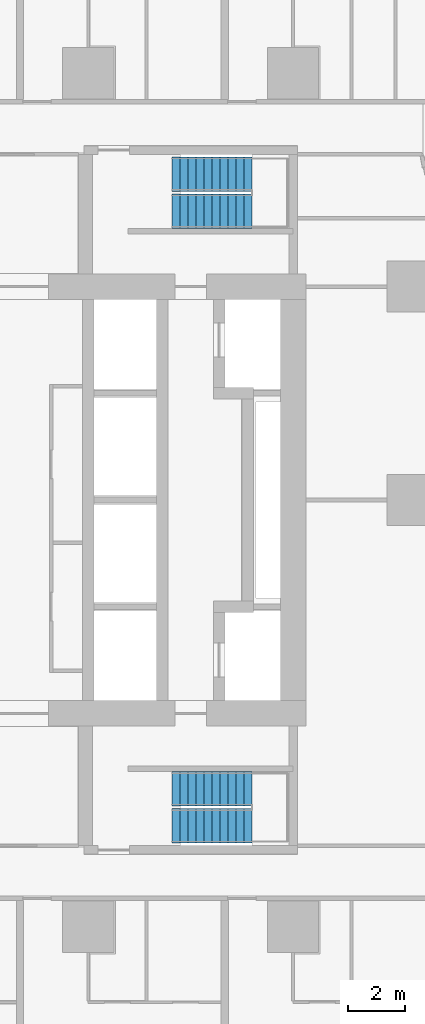
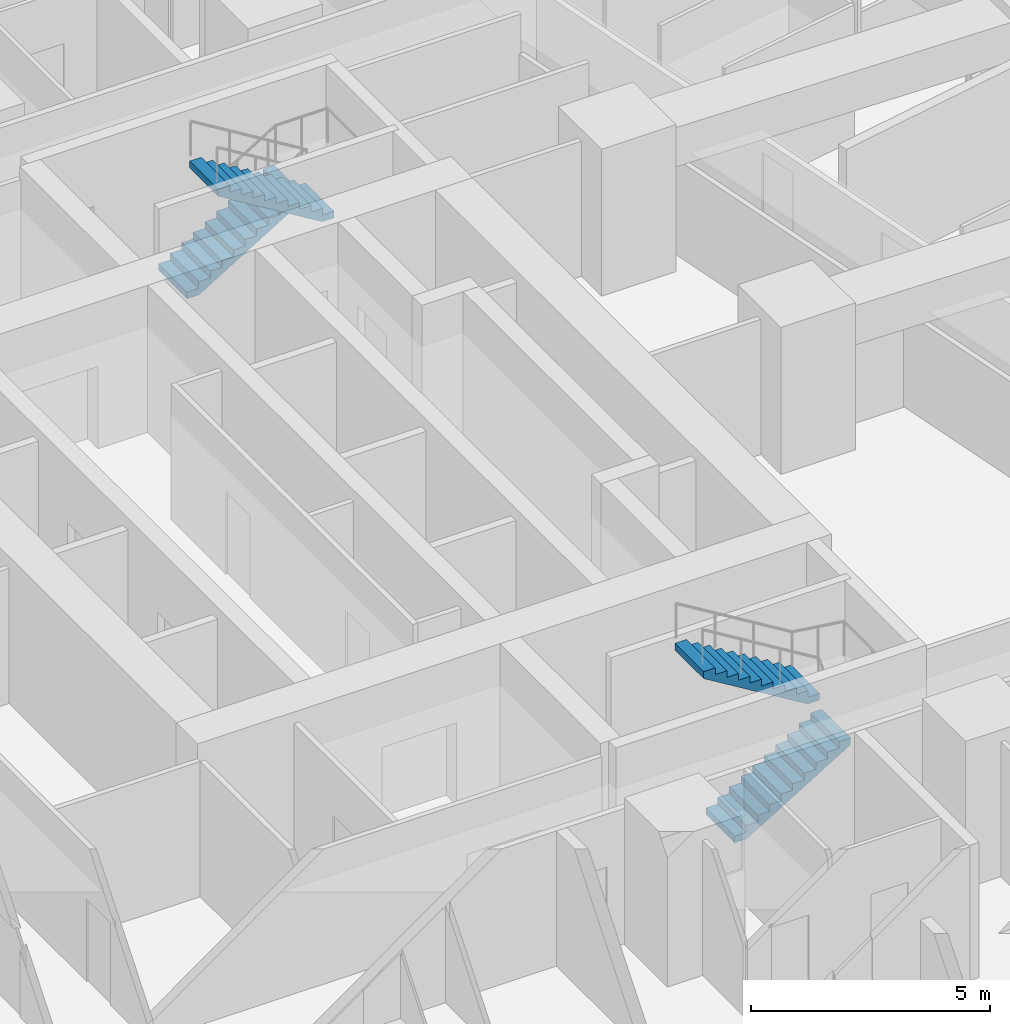
# One storey, part 12 of 15: 4 stair flights, 2 elements without a shape of their own.
"""IFC4 building model written with IfcOpenShell, lengths in metres."""

from ifc_helpers import new_model, si_unit, direction, frame, origin, place, context, subcontext, project, spatial, triangles, material, type_object, element, aggregate, save


model = new_model("IFC4")

# Units and contexts
model_context = context("Model", 3, precision=1e-05, world=origin(), true_north=direction((0.0, 1.0)))
body_context = subcontext(model_context, "Body", "Model", "MODEL_VIEW")
ifc_project = project(units=[si_unit("LENGTHUNIT", "METRE"), si_unit("AREAUNIT", "SQUARE_METRE"), si_unit("VOLUMEUNIT", "CUBIC_METRE"), si_unit("PLANEANGLEUNIT", "RADIAN"), si_unit("MASSUNIT", "GRAM", prefix="KILO")], contexts=[model_context])

# Site, building, storey
site_placement = place(None, origin())
site = spatial("IfcSite", under=ifc_project, at=site_placement, CompositionType="ELEMENT")
building_placement = place(site_placement, origin())
building = spatial("IfcBuilding", under=site, at=building_placement, Name="Sheger Commons Tower", CompositionType="ELEMENT")
storey_placement = place(building_placement, frame((0.0, 0.0, 68.75)))
storey = spatial("IfcBuildingStorey", under=building, at=storey_placement, Name="L17", CompositionType="ELEMENT", Elevation=68.75)

# Stair, stair flights
ifc_material_1 = material(Name="Concrete C35/45", Category="concrete")
stair_type = type_object("IfcStairType", Name="HALF-TURN STAIR 1200 RISE 3750", PredefinedType="HALF_TURN_STAIR", material=ifc_material_1)
stair_1_placement = place(storey_placement, origin())
stair_1 = element("IfcStair", 1, at=stair_1_placement, inside=storey, type_object=stair_type, Name="Stair S1 L17", PredefinedType="HALF_TURN_STAIR")
ifc_material_2 = material(Name="Concrete C35/45", Category="concrete")
stair_flight_type = type_object("IfcStairFlightType", Name="STAIR FLIGHT 1200 11 RISERS OF 170", PredefinedType="STRAIGHT", material=ifc_material_2)
stair_flight_1_placement = place(storey_placement, frame((24.550048828125, 11.050048828125, 0.0), z_axis=(0.0, 0.0, 1.0), x_axis=(1.0, 0.0, 0.0)))
stair_flight_1 = element("IfcStairFlight", 2, at=stair_flight_1_placement, type_object=stair_flight_type, Name="S1 flight 1", NumberOfRisers=11, NumberOfTreads=10, PredefinedType="STRAIGHT", RiserHeight=0.170454545, TreadLength=0.28, context=body_context, shape_type="Tessellation", body=[
    triangles([(0.0, 0.5999755859375, 0.0), (0.0, 0.5999755859375, 0.17041015625), (0.280029296875, 0.5999755859375, 0.17041015625), (0.280029296875, 0.5999755859375, 0.3408203125), (0.56005859375, 0.5999755859375, 0.3408203125), (0.56005859375, 0.5999755859375, 0.511474609375), (0.840087890625, 0.5999755859375, 0.511474609375), (0.840087890625, 0.5999755859375, 0.681884765625), (1.1201171875, 0.5999755859375, 0.681884765625), (1.1201171875, 0.5999755859375, 0.852294921875), (1.39990234375, 0.5999755859375, 0.852294921875), (1.39990234375, 0.5999755859375, 1.022705078125), (1.679931640625, 0.5999755859375, 1.022705078125), (1.679931640625, 0.5999755859375, 1.193115234375), (1.9599609375, 0.5999755859375, 1.193115234375), (1.9599609375, 0.5999755859375, 1.363525390625), (2.239990234375, 0.5999755859375, 1.363525390625), (2.239990234375, 0.5999755859375, 1.5341796875), (2.52001953125, 0.5999755859375, 1.5341796875), (2.52001953125, 0.5999755859375, 1.70458984375), (2.800048828125, 0.5999755859375, 1.70458984375), (2.800048828125, 0.5999755859375, 1.529052734375), (0.288330078125, 0.5999755859375, 0.0), (0.0, -0.5999755859375, 0.0), (0.0, -0.5999755859375, 0.17041015625), (0.280029296875, -0.5999755859375, 0.17041015625), (0.280029296875, -0.5999755859375, 0.3408203125), (0.56005859375, -0.5999755859375, 0.3408203125), (0.56005859375, -0.5999755859375, 0.511474609375), (0.840087890625, -0.5999755859375, 0.511474609375), (0.840087890625, -0.5999755859375, 0.681884765625), (1.1201171875, -0.5999755859375, 0.681884765625), (1.1201171875, -0.5999755859375, 0.852294921875), (1.39990234375, -0.5999755859375, 0.852294921875), (1.39990234375, -0.5999755859375, 1.022705078125), (1.679931640625, -0.5999755859375, 1.022705078125), (1.679931640625, -0.5999755859375, 1.193115234375), (1.9599609375, -0.5999755859375, 1.193115234375), (1.9599609375, -0.5999755859375, 1.363525390625), (2.239990234375, -0.5999755859375, 1.363525390625), (2.239990234375, -0.5999755859375, 1.5341796875), (2.52001953125, -0.5999755859375, 1.5341796875), (2.52001953125, -0.5999755859375, 1.70458984375), (2.800048828125, -0.5999755859375, 1.70458984375), (2.800048828125, -0.5999755859375, 1.529052734375), (0.288330078125, -0.5999755859375, 0.0), (0.0, 0.0, 0.085205078125), (0.1400146484375, 0.0, 0.17041015625), (0.280029296875, 0.0, 0.255615234375), (0.4200439453125, 0.0, 0.3408203125), (0.56005859375, 0.0, 0.4261474609375), (0.7000732421875, 0.0, 0.511474609375), (0.840087890625, 0.0, 0.5966796875), (0.9801025390625, 0.0, 0.681884765625), (1.1201171875, 0.0, 0.76708984375), (1.260009765625, 0.0, 0.852294921875), (1.39990234375, 0.0, 0.9375), (1.5399169921875, 0.0, 1.022705078125), (1.679931640625, 0.0, 1.10791015625), (1.8199462890625, 0.0, 1.193115234375), (1.9599609375, 0.0, 1.2783203125), (2.0999755859375, 0.0, 1.363525390625), (2.239990234375, 0.0, 1.4488525390625), (2.3800048828125, 0.0, 1.5341796875), (2.52001953125, 0.0, 1.619384765625), (2.6600341796875, 0.0, 1.70458984375), (2.800048828125, 0.0, 1.6168212890625), (1.544189453125, 0.0, 0.7645263671875), (0.1441650390625, 0.0, 0.0)], [[1, 22, 23], [24, 46, 45], [22, 20, 21], [45, 44, 43], [22, 19, 20], [45, 43, 42], [22, 18, 19], [45, 42, 41], [22, 17, 18], [45, 41, 40], [17, 15, 16], [40, 39, 38], [22, 15, 17], [45, 40, 38], [15, 13, 14], [38, 37, 36], [22, 13, 15], [45, 38, 36], [13, 11, 12], [36, 35, 34], [22, 11, 13], [45, 36, 34], [11, 9, 10], [34, 33, 32], [22, 9, 11], [45, 34, 32], [9, 7, 8], [32, 31, 30], [22, 7, 9], [45, 32, 30], [7, 5, 6], [30, 29, 28], [22, 5, 7], [45, 30, 28], [5, 3, 4], [28, 27, 26], [22, 3, 5], [45, 28, 26], [1, 3, 22], [24, 45, 26], [3, 1, 2], [26, 25, 24], [1, 47, 2], [2, 47, 25], [25, 47, 24], [24, 47, 1], [2, 48, 3], [3, 48, 26], [26, 48, 25], [25, 48, 2], [3, 49, 4], [4, 49, 27], [27, 49, 26], [26, 49, 3], [4, 50, 5], [5, 50, 28], [28, 50, 27], [27, 50, 4], [5, 51, 6], [6, 51, 29], [29, 51, 28], [28, 51, 5], [6, 52, 7], [7, 52, 30], [30, 52, 29], [29, 52, 6], [7, 53, 8], [8, 53, 31], [31, 53, 30], [30, 53, 7], [8, 54, 9], [9, 54, 32], [32, 54, 31], [31, 54, 8], [9, 55, 10], [10, 55, 33], [33, 55, 32], [32, 55, 9], [10, 56, 11], [11, 56, 34], [34, 56, 33], [33, 56, 10], [11, 57, 12], [12, 57, 35], [35, 57, 34], [34, 57, 11], [12, 58, 13], [13, 58, 36], [36, 58, 35], [35, 58, 12], [13, 59, 14], [14, 59, 37], [37, 59, 36], [36, 59, 13], [14, 60, 15], [15, 60, 38], [38, 60, 37], [37, 60, 14], [15, 61, 16], [16, 61, 39], [39, 61, 38], [38, 61, 15], [16, 62, 17], [17, 62, 40], [40, 62, 39], [39, 62, 16], [17, 63, 18], [18, 63, 41], [41, 63, 40], [40, 63, 17], [18, 64, 19], [19, 64, 42], [42, 64, 41], [41, 64, 18], [19, 65, 20], [20, 65, 43], [43, 65, 42], [42, 65, 19], [20, 66, 21], [21, 66, 44], [44, 66, 43], [43, 66, 20], [21, 67, 22], [22, 67, 45], [45, 67, 44], [44, 67, 21], [22, 68, 23], [23, 68, 46], [46, 68, 45], [45, 68, 22], [23, 69, 1], [1, 69, 24], [24, 69, 46], [46, 69, 23]], closed=True),
])
stair_flight_2_placement = place(storey_placement, frame((27.35009765625, 12.35009765625, 1.875), z_axis=(0.0, 0.0, 1.0), x_axis=(-1.0, 0.0, 0.0)))
stair_flight_2 = element("IfcStairFlight", 3, at=stair_flight_2_placement, type_object=stair_flight_type, Name="S1 flight 2", NumberOfRisers=11, NumberOfTreads=10, PredefinedType="STRAIGHT", RiserHeight=0.170454545, TreadLength=0.28, context=body_context, shape_type="Tessellation", body=[
    triangles([(0.0, 0.5999755859375, 0.0), (0.0, 0.5999755859375, 0.17041015625), (0.280029296875, 0.5999755859375, 0.17041015625), (0.280029296875, 0.5999755859375, 0.3408203125), (0.56005859375, 0.5999755859375, 0.3408203125), (0.56005859375, 0.5999755859375, 0.511474609375), (0.840087890625, 0.5999755859375, 0.511474609375), (0.840087890625, 0.5999755859375, 0.681884765625), (1.1201171875, 0.5999755859375, 0.681884765625), (1.1201171875, 0.5999755859375, 0.852294921875), (1.39990234375, 0.5999755859375, 0.852294921875), (1.39990234375, 0.5999755859375, 1.022705078125), (1.679931640625, 0.5999755859375, 1.022705078125), (1.679931640625, 0.5999755859375, 1.193115234375), (1.9599609375, 0.5999755859375, 1.193115234375), (1.9599609375, 0.5999755859375, 1.363525390625), (2.239990234375, 0.5999755859375, 1.363525390625), (2.239990234375, 0.5999755859375, 1.5341796875), (2.52001953125, 0.5999755859375, 1.5341796875), (2.52001953125, 0.5999755859375, 1.70458984375), (2.800048828125, 0.5999755859375, 1.70458984375), (2.800048828125, 0.5999755859375, 1.529052734375), (0.288330078125, 0.5999755859375, 0.0), (0.0, -0.5999755859375, 0.0), (0.0, -0.5999755859375, 0.17041015625), (0.280029296875, -0.5999755859375, 0.17041015625), (0.280029296875, -0.5999755859375, 0.3408203125), (0.56005859375, -0.5999755859375, 0.3408203125), (0.56005859375, -0.5999755859375, 0.511474609375), (0.840087890625, -0.5999755859375, 0.511474609375), (0.840087890625, -0.5999755859375, 0.681884765625), (1.1201171875, -0.5999755859375, 0.681884765625), (1.1201171875, -0.5999755859375, 0.852294921875), (1.39990234375, -0.5999755859375, 0.852294921875), (1.39990234375, -0.5999755859375, 1.022705078125), (1.679931640625, -0.5999755859375, 1.022705078125), (1.679931640625, -0.5999755859375, 1.193115234375), (1.9599609375, -0.5999755859375, 1.193115234375), (1.9599609375, -0.5999755859375, 1.363525390625), (2.239990234375, -0.5999755859375, 1.363525390625), (2.239990234375, -0.5999755859375, 1.5341796875), (2.52001953125, -0.5999755859375, 1.5341796875), (2.52001953125, -0.5999755859375, 1.70458984375), (2.800048828125, -0.5999755859375, 1.70458984375), (2.800048828125, -0.5999755859375, 1.529052734375), (0.288330078125, -0.5999755859375, 0.0), (0.0, 0.0, 0.085205078125), (0.1400146484375, 0.0, 0.17041015625), (0.280029296875, 0.0, 0.255615234375), (0.4200439453125, 0.0, 0.3408203125), (0.56005859375, 0.0, 0.4261474609375), (0.7000732421875, 0.0, 0.511474609375), (0.840087890625, 0.0, 0.5966796875), (0.9801025390625, 0.0, 0.681884765625), (1.1201171875, 0.0, 0.76708984375), (1.260009765625, 0.0, 0.852294921875), (1.39990234375, 0.0, 0.9375), (1.5399169921875, 0.0, 1.022705078125), (1.679931640625, 0.0, 1.10791015625), (1.8199462890625, 0.0, 1.193115234375), (1.9599609375, 0.0, 1.2783203125), (2.0999755859375, 0.0, 1.363525390625), (2.239990234375, 0.0, 1.4488525390625), (2.3800048828125, 0.0, 1.5341796875), (2.52001953125, 0.0, 1.619384765625), (2.6600341796875, 0.0, 1.70458984375), (2.800048828125, 0.0, 1.6168212890625), (1.544189453125, 0.0, 0.7645263671875), (0.1441650390625, 0.0, 0.0)], [[1, 22, 23], [24, 46, 45], [22, 20, 21], [45, 44, 43], [22, 19, 20], [45, 43, 42], [22, 18, 19], [45, 42, 41], [22, 17, 18], [45, 41, 40], [17, 15, 16], [40, 39, 38], [22, 15, 17], [45, 40, 38], [15, 13, 14], [38, 37, 36], [22, 13, 15], [45, 38, 36], [13, 11, 12], [36, 35, 34], [22, 11, 13], [45, 36, 34], [11, 9, 10], [34, 33, 32], [22, 9, 11], [45, 34, 32], [9, 7, 8], [32, 31, 30], [22, 7, 9], [45, 32, 30], [7, 5, 6], [30, 29, 28], [22, 5, 7], [45, 30, 28], [5, 3, 4], [28, 27, 26], [22, 3, 5], [45, 28, 26], [1, 3, 22], [24, 45, 26], [3, 1, 2], [26, 25, 24], [1, 47, 2], [2, 47, 25], [25, 47, 24], [24, 47, 1], [2, 48, 3], [3, 48, 26], [26, 48, 25], [25, 48, 2], [3, 49, 4], [4, 49, 27], [27, 49, 26], [26, 49, 3], [4, 50, 5], [5, 50, 28], [28, 50, 27], [27, 50, 4], [5, 51, 6], [6, 51, 29], [29, 51, 28], [28, 51, 5], [6, 52, 7], [7, 52, 30], [30, 52, 29], [29, 52, 6], [7, 53, 8], [8, 53, 31], [31, 53, 30], [30, 53, 7], [8, 54, 9], [9, 54, 32], [32, 54, 31], [31, 54, 8], [9, 55, 10], [10, 55, 33], [33, 55, 32], [32, 55, 9], [10, 56, 11], [11, 56, 34], [34, 56, 33], [33, 56, 10], [11, 57, 12], [12, 57, 35], [35, 57, 34], [34, 57, 11], [12, 58, 13], [13, 58, 36], [36, 58, 35], [35, 58, 12], [13, 59, 14], [14, 59, 37], [37, 59, 36], [36, 59, 13], [14, 60, 15], [15, 60, 38], [38, 60, 37], [37, 60, 14], [15, 61, 16], [16, 61, 39], [39, 61, 38], [38, 61, 15], [16, 62, 17], [17, 62, 40], [40, 62, 39], [39, 62, 16], [17, 63, 18], [18, 63, 41], [41, 63, 40], [40, 63, 17], [18, 64, 19], [19, 64, 42], [42, 64, 41], [41, 64, 18], [19, 65, 20], [20, 65, 43], [43, 65, 42], [42, 65, 19], [20, 66, 21], [21, 66, 44], [44, 66, 43], [43, 66, 20], [21, 67, 22], [22, 67, 45], [45, 67, 44], [44, 67, 21], [22, 68, 23], [23, 68, 46], [46, 68, 45], [45, 68, 22], [23, 69, 1], [1, 69, 24], [24, 69, 46], [46, 69, 23]], closed=True),
])
aggregate(stair_1, [stair_flight_1, stair_flight_2])

stair_2_placement = place(storey_placement, origin())
stair_2 = element("IfcStair", 4, at=stair_2_placement, inside=storey, type_object=stair_type, Name="Stair S2 L17", PredefinedType="HALF_TURN_STAIR")
stair_flight_3_placement = place(storey_placement, frame((24.550048828125, 33.949951171875, 0.0), z_axis=(0.0, 0.0, 1.0), x_axis=(1.0, 0.0, 0.0)))
stair_flight_3 = element("IfcStairFlight", 5, at=stair_flight_3_placement, type_object=stair_flight_type, Name="S2 flight 1", NumberOfRisers=11, NumberOfTreads=10, PredefinedType="STRAIGHT", RiserHeight=0.170454545, TreadLength=0.28, context=body_context, shape_type="Tessellation", body=[
    triangles([(0.0, 0.5999755859375, 0.0), (0.0, 0.5999755859375, 0.17041015625), (0.280029296875, 0.5999755859375, 0.17041015625), (0.280029296875, 0.5999755859375, 0.3408203125), (0.56005859375, 0.5999755859375, 0.3408203125), (0.56005859375, 0.5999755859375, 0.511474609375), (0.840087890625, 0.5999755859375, 0.511474609375), (0.840087890625, 0.5999755859375, 0.681884765625), (1.1201171875, 0.5999755859375, 0.681884765625), (1.1201171875, 0.5999755859375, 0.852294921875), (1.39990234375, 0.5999755859375, 0.852294921875), (1.39990234375, 0.5999755859375, 1.022705078125), (1.679931640625, 0.5999755859375, 1.022705078125), (1.679931640625, 0.5999755859375, 1.193115234375), (1.9599609375, 0.5999755859375, 1.193115234375), (1.9599609375, 0.5999755859375, 1.363525390625), (2.239990234375, 0.5999755859375, 1.363525390625), (2.239990234375, 0.5999755859375, 1.5341796875), (2.52001953125, 0.5999755859375, 1.5341796875), (2.52001953125, 0.5999755859375, 1.70458984375), (2.800048828125, 0.5999755859375, 1.70458984375), (2.800048828125, 0.5999755859375, 1.529052734375), (0.288330078125, 0.5999755859375, 0.0), (0.0, -0.5999755859375, 0.0), (0.0, -0.5999755859375, 0.17041015625), (0.280029296875, -0.5999755859375, 0.17041015625), (0.280029296875, -0.5999755859375, 0.3408203125), (0.56005859375, -0.5999755859375, 0.3408203125), (0.56005859375, -0.5999755859375, 0.511474609375), (0.840087890625, -0.5999755859375, 0.511474609375), (0.840087890625, -0.5999755859375, 0.681884765625), (1.1201171875, -0.5999755859375, 0.681884765625), (1.1201171875, -0.5999755859375, 0.852294921875), (1.39990234375, -0.5999755859375, 0.852294921875), (1.39990234375, -0.5999755859375, 1.022705078125), (1.679931640625, -0.5999755859375, 1.022705078125), (1.679931640625, -0.5999755859375, 1.193115234375), (1.9599609375, -0.5999755859375, 1.193115234375), (1.9599609375, -0.5999755859375, 1.363525390625), (2.239990234375, -0.5999755859375, 1.363525390625), (2.239990234375, -0.5999755859375, 1.5341796875), (2.52001953125, -0.5999755859375, 1.5341796875), (2.52001953125, -0.5999755859375, 1.70458984375), (2.800048828125, -0.5999755859375, 1.70458984375), (2.800048828125, -0.5999755859375, 1.529052734375), (0.288330078125, -0.5999755859375, 0.0), (0.0, 0.0, 0.085205078125), (0.1400146484375, 0.0, 0.17041015625), (0.280029296875, 0.0, 0.255615234375), (0.4200439453125, 0.0, 0.3408203125), (0.56005859375, 0.0, 0.4261474609375), (0.7000732421875, 0.0, 0.511474609375), (0.840087890625, 0.0, 0.5966796875), (0.9801025390625, 0.0, 0.681884765625), (1.1201171875, 0.0, 0.76708984375), (1.260009765625, 0.0, 0.852294921875), (1.39990234375, 0.0, 0.9375), (1.5399169921875, 0.0, 1.022705078125), (1.679931640625, 0.0, 1.10791015625), (1.8199462890625, 0.0, 1.193115234375), (1.9599609375, 0.0, 1.2783203125), (2.0999755859375, 0.0, 1.363525390625), (2.239990234375, 0.0, 1.4488525390625), (2.3800048828125, 0.0, 1.5341796875), (2.52001953125, 0.0, 1.619384765625), (2.6600341796875, 0.0, 1.70458984375), (2.800048828125, 0.0, 1.6168212890625), (1.544189453125, 0.0, 0.7645263671875), (0.1441650390625, 0.0, 0.0)], [[1, 22, 23], [24, 46, 45], [22, 20, 21], [45, 44, 43], [22, 19, 20], [45, 43, 42], [22, 18, 19], [45, 42, 41], [22, 17, 18], [45, 41, 40], [17, 15, 16], [40, 39, 38], [22, 15, 17], [45, 40, 38], [15, 13, 14], [38, 37, 36], [22, 13, 15], [45, 38, 36], [13, 11, 12], [36, 35, 34], [22, 11, 13], [45, 36, 34], [11, 9, 10], [34, 33, 32], [22, 9, 11], [45, 34, 32], [9, 7, 8], [32, 31, 30], [22, 7, 9], [45, 32, 30], [7, 5, 6], [30, 29, 28], [22, 5, 7], [45, 30, 28], [5, 3, 4], [28, 27, 26], [22, 3, 5], [45, 28, 26], [1, 3, 22], [24, 45, 26], [3, 1, 2], [26, 25, 24], [1, 47, 2], [2, 47, 25], [25, 47, 24], [24, 47, 1], [2, 48, 3], [3, 48, 26], [26, 48, 25], [25, 48, 2], [3, 49, 4], [4, 49, 27], [27, 49, 26], [26, 49, 3], [4, 50, 5], [5, 50, 28], [28, 50, 27], [27, 50, 4], [5, 51, 6], [6, 51, 29], [29, 51, 28], [28, 51, 5], [6, 52, 7], [7, 52, 30], [30, 52, 29], [29, 52, 6], [7, 53, 8], [8, 53, 31], [31, 53, 30], [30, 53, 7], [8, 54, 9], [9, 54, 32], [32, 54, 31], [31, 54, 8], [9, 55, 10], [10, 55, 33], [33, 55, 32], [32, 55, 9], [10, 56, 11], [11, 56, 34], [34, 56, 33], [33, 56, 10], [11, 57, 12], [12, 57, 35], [35, 57, 34], [34, 57, 11], [12, 58, 13], [13, 58, 36], [36, 58, 35], [35, 58, 12], [13, 59, 14], [14, 59, 37], [37, 59, 36], [36, 59, 13], [14, 60, 15], [15, 60, 38], [38, 60, 37], [37, 60, 14], [15, 61, 16], [16, 61, 39], [39, 61, 38], [38, 61, 15], [16, 62, 17], [17, 62, 40], [40, 62, 39], [39, 62, 16], [17, 63, 18], [18, 63, 41], [41, 63, 40], [40, 63, 17], [18, 64, 19], [19, 64, 42], [42, 64, 41], [41, 64, 18], [19, 65, 20], [20, 65, 43], [43, 65, 42], [42, 65, 19], [20, 66, 21], [21, 66, 44], [44, 66, 43], [43, 66, 20], [21, 67, 22], [22, 67, 45], [45, 67, 44], [44, 67, 21], [22, 68, 23], [23, 68, 46], [46, 68, 45], [45, 68, 22], [23, 69, 1], [1, 69, 24], [24, 69, 46], [46, 69, 23]], closed=True),
])
stair_flight_4_placement = place(storey_placement, frame((27.35009765625, 32.64990234375, 1.875), z_axis=(0.0, 0.0, 1.0), x_axis=(-1.0, 0.0, 0.0)))
stair_flight_4 = element("IfcStairFlight", 6, at=stair_flight_4_placement, type_object=stair_flight_type, Name="S2 flight 2", NumberOfRisers=11, NumberOfTreads=10, PredefinedType="STRAIGHT", RiserHeight=0.170454545, TreadLength=0.28, context=body_context, shape_type="Tessellation", body=[
    triangles([(0.0, 0.5999755859375, 0.0), (0.0, 0.5999755859375, 0.17041015625), (0.280029296875, 0.5999755859375, 0.17041015625), (0.280029296875, 0.5999755859375, 0.3408203125), (0.56005859375, 0.5999755859375, 0.3408203125), (0.56005859375, 0.5999755859375, 0.511474609375), (0.840087890625, 0.5999755859375, 0.511474609375), (0.840087890625, 0.5999755859375, 0.681884765625), (1.1201171875, 0.5999755859375, 0.681884765625), (1.1201171875, 0.5999755859375, 0.852294921875), (1.39990234375, 0.5999755859375, 0.852294921875), (1.39990234375, 0.5999755859375, 1.022705078125), (1.679931640625, 0.5999755859375, 1.022705078125), (1.679931640625, 0.5999755859375, 1.193115234375), (1.9599609375, 0.5999755859375, 1.193115234375), (1.9599609375, 0.5999755859375, 1.363525390625), (2.239990234375, 0.5999755859375, 1.363525390625), (2.239990234375, 0.5999755859375, 1.5341796875), (2.52001953125, 0.5999755859375, 1.5341796875), (2.52001953125, 0.5999755859375, 1.70458984375), (2.800048828125, 0.5999755859375, 1.70458984375), (2.800048828125, 0.5999755859375, 1.529052734375), (0.288330078125, 0.5999755859375, 0.0), (0.0, -0.5999755859375, 0.0), (0.0, -0.5999755859375, 0.17041015625), (0.280029296875, -0.5999755859375, 0.17041015625), (0.280029296875, -0.5999755859375, 0.3408203125), (0.56005859375, -0.5999755859375, 0.3408203125), (0.56005859375, -0.5999755859375, 0.511474609375), (0.840087890625, -0.5999755859375, 0.511474609375), (0.840087890625, -0.5999755859375, 0.681884765625), (1.1201171875, -0.5999755859375, 0.681884765625), (1.1201171875, -0.5999755859375, 0.852294921875), (1.39990234375, -0.5999755859375, 0.852294921875), (1.39990234375, -0.5999755859375, 1.022705078125), (1.679931640625, -0.5999755859375, 1.022705078125), (1.679931640625, -0.5999755859375, 1.193115234375), (1.9599609375, -0.5999755859375, 1.193115234375), (1.9599609375, -0.5999755859375, 1.363525390625), (2.239990234375, -0.5999755859375, 1.363525390625), (2.239990234375, -0.5999755859375, 1.5341796875), (2.52001953125, -0.5999755859375, 1.5341796875), (2.52001953125, -0.5999755859375, 1.70458984375), (2.800048828125, -0.5999755859375, 1.70458984375), (2.800048828125, -0.5999755859375, 1.529052734375), (0.288330078125, -0.5999755859375, 0.0), (0.0, 0.0, 0.085205078125), (0.1400146484375, 0.0, 0.17041015625), (0.280029296875, 0.0, 0.255615234375), (0.4200439453125, 0.0, 0.3408203125), (0.56005859375, 0.0, 0.4261474609375), (0.7000732421875, 0.0, 0.511474609375), (0.840087890625, 0.0, 0.5966796875), (0.9801025390625, 0.0, 0.681884765625), (1.1201171875, 0.0, 0.76708984375), (1.260009765625, 0.0, 0.852294921875), (1.39990234375, 0.0, 0.9375), (1.5399169921875, 0.0, 1.022705078125), (1.679931640625, 0.0, 1.10791015625), (1.8199462890625, 0.0, 1.193115234375), (1.9599609375, 0.0, 1.2783203125), (2.0999755859375, 0.0, 1.363525390625), (2.239990234375, 0.0, 1.4488525390625), (2.3800048828125, 0.0, 1.5341796875), (2.52001953125, 0.0, 1.619384765625), (2.6600341796875, 0.0, 1.70458984375), (2.800048828125, 0.0, 1.6168212890625), (1.544189453125, 0.0, 0.7645263671875), (0.1441650390625, 0.0, 0.0)], [[1, 22, 23], [24, 46, 45], [22, 20, 21], [45, 44, 43], [22, 19, 20], [45, 43, 42], [22, 18, 19], [45, 42, 41], [22, 17, 18], [45, 41, 40], [17, 15, 16], [40, 39, 38], [22, 15, 17], [45, 40, 38], [15, 13, 14], [38, 37, 36], [22, 13, 15], [45, 38, 36], [13, 11, 12], [36, 35, 34], [22, 11, 13], [45, 36, 34], [11, 9, 10], [34, 33, 32], [22, 9, 11], [45, 34, 32], [9, 7, 8], [32, 31, 30], [22, 7, 9], [45, 32, 30], [7, 5, 6], [30, 29, 28], [22, 5, 7], [45, 30, 28], [5, 3, 4], [28, 27, 26], [22, 3, 5], [45, 28, 26], [1, 3, 22], [24, 45, 26], [3, 1, 2], [26, 25, 24], [1, 47, 2], [2, 47, 25], [25, 47, 24], [24, 47, 1], [2, 48, 3], [3, 48, 26], [26, 48, 25], [25, 48, 2], [3, 49, 4], [4, 49, 27], [27, 49, 26], [26, 49, 3], [4, 50, 5], [5, 50, 28], [28, 50, 27], [27, 50, 4], [5, 51, 6], [6, 51, 29], [29, 51, 28], [28, 51, 5], [6, 52, 7], [7, 52, 30], [30, 52, 29], [29, 52, 6], [7, 53, 8], [8, 53, 31], [31, 53, 30], [30, 53, 7], [8, 54, 9], [9, 54, 32], [32, 54, 31], [31, 54, 8], [9, 55, 10], [10, 55, 33], [33, 55, 32], [32, 55, 9], [10, 56, 11], [11, 56, 34], [34, 56, 33], [33, 56, 10], [11, 57, 12], [12, 57, 35], [35, 57, 34], [34, 57, 11], [12, 58, 13], [13, 58, 36], [36, 58, 35], [35, 58, 12], [13, 59, 14], [14, 59, 37], [37, 59, 36], [36, 59, 13], [14, 60, 15], [15, 60, 38], [38, 60, 37], [37, 60, 14], [15, 61, 16], [16, 61, 39], [39, 61, 38], [38, 61, 15], [16, 62, 17], [17, 62, 40], [40, 62, 39], [39, 62, 16], [17, 63, 18], [18, 63, 41], [41, 63, 40], [40, 63, 17], [18, 64, 19], [19, 64, 42], [42, 64, 41], [41, 64, 18], [19, 65, 20], [20, 65, 43], [43, 65, 42], [42, 65, 19], [20, 66, 21], [21, 66, 44], [44, 66, 43], [43, 66, 20], [21, 67, 22], [22, 67, 45], [45, 67, 44], [44, 67, 21], [22, 68, 23], [23, 68, 46], [46, 68, 45], [45, 68, 22], [23, 69, 1], [1, 69, 24], [24, 69, 46], [46, 69, 23]], closed=True),
])
aggregate(stair_2, [stair_flight_3, stair_flight_4])

save(model, "model.ifc")
